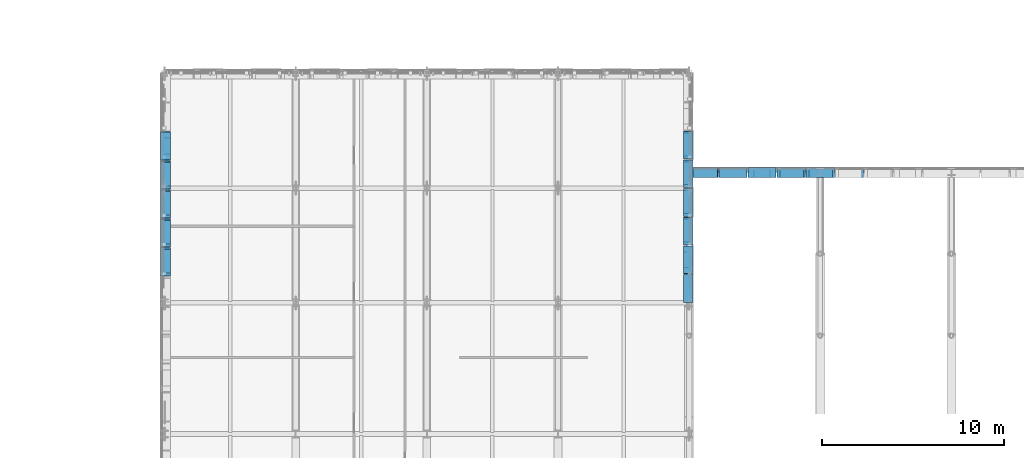
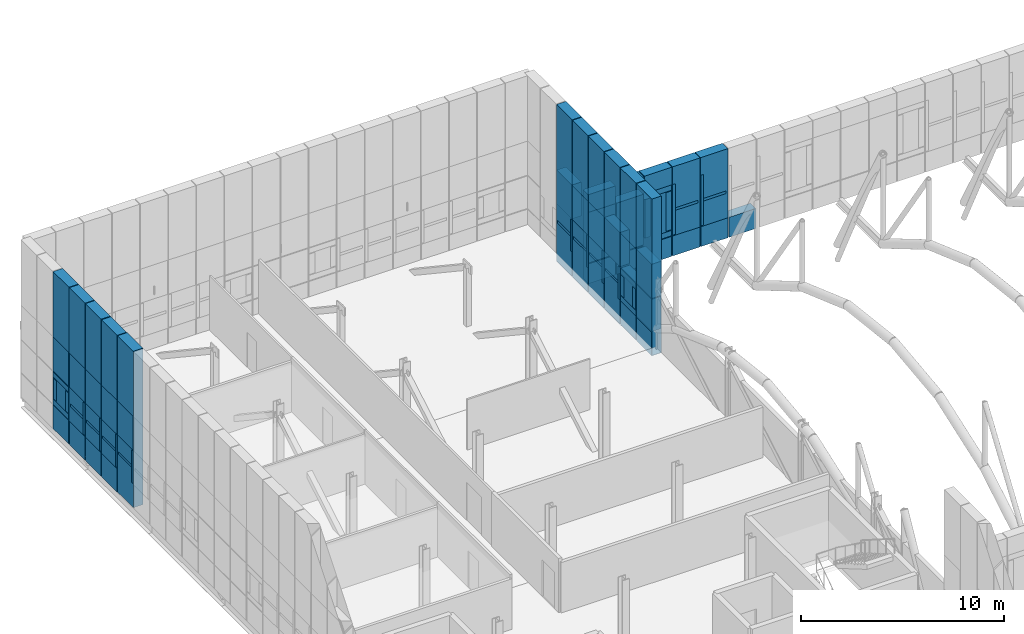
# One storey, part 118 of 144: 78 discrete accessories.
"""IFC4 building model written with IfcOpenShell, lengths in metres."""

from ifc_helpers import new_model, si_unit, direction, frame, origin, origin_2d, place, context, subcontext, project, spatial, rectangle, extrude, material, type_object, element, save


model = new_model("IFC4")

# Units and contexts
model_context = context("Model", 3, precision=1e-05, world=origin(), true_north=direction((0.0, 1.0)))
body_context = subcontext(model_context, "Body", "Model", "MODEL_VIEW")
ifc_project = project(units=[si_unit("LENGTHUNIT", "METRE"), si_unit("AREAUNIT", "SQUARE_METRE"), si_unit("VOLUMEUNIT", "CUBIC_METRE"), si_unit("PLANEANGLEUNIT", "RADIAN"), si_unit("MASSUNIT", "GRAM", prefix="KILO")], contexts=[model_context])

# Site, building, storey
site_placement = place(None, origin())
site = spatial("IfcSite", under=ifc_project, at=site_placement, CompositionType="ELEMENT")
building_placement = place(site_placement, origin())
building = spatial("IfcBuilding", under=site, at=building_placement, Name="Yarey Park Central Fire Station", CompositionType="ELEMENT")
storey_placement = place(building_placement, frame((0.0, 0.0, 10.199951171875)))
storey = spatial("IfcBuildingStorey", under=building, at=storey_placement, Name="L03", CompositionType="ELEMENT", Elevation=10.199951171875)

# Discrete accessories
ifc_material = material(Name="Stainless Steel AISI 316L", Category="steel")
discrete_accessory_type = type_object("IfcDiscreteAccessoryType", Name="ENV_BRK_SS1", PredefinedType="BRACKET", material=ifc_material)
discrete_accessory_1_placement = place(storey_placement, frame((57.550048828125, 87.1875, -0.494873046875), z_axis=(0.0, 0.0, 1.0), x_axis=(1.0, 0.0, 0.0)))
element("IfcDiscreteAccessory", 1, at=discrete_accessory_1_placement, inside=storey, type_object=discrete_accessory_type, Name="BRK_PERF_L03_0466", PredefinedType="BRACKET", context=body_context, shape_type="SweptSolid", body=[
    extrude(rectangle(XDim=0.5400390625, YDim=1.514892578125, at=origin_2d()), origin(), (0.0, 0.0, 1.0), 1.419921875),
])
discrete_accessory_2_placement = place(storey_placement, frame((57.550048828125, 87.1875, 0.97509765625), z_axis=(0.0, 0.0, 1.0), x_axis=(1.0, 0.0, 0.0)))
element("IfcDiscreteAccessory", 2, at=discrete_accessory_2_placement, inside=storey, type_object=discrete_accessory_type, Name="BRK_PERF_L03_0467", PredefinedType="BRACKET", context=body_context, shape_type="SweptSolid", body=[
    extrude(rectangle(XDim=0.5400390625, YDim=1.514892578125, at=origin_2d()), origin(), (0.0, 0.0, 1.0), 1.949951171875),
])
discrete_accessory_3_placement = place(storey_placement, frame((57.550048828125, 87.1875, 2.97509765625), z_axis=(0.0, 0.0, 1.0), x_axis=(1.0, 0.0, 0.0)))
element("IfcDiscreteAccessory", 3, at=discrete_accessory_3_placement, inside=storey, type_object=discrete_accessory_type, Name="BRK_PERF_L03_0468", PredefinedType="BRACKET", context=body_context, shape_type="SweptSolid", body=[
    extrude(rectangle(XDim=0.5400390625, YDim=1.514892578125, at=origin_2d()), origin(), (0.0, 0.0, 1.0), 2.050048828125),
])
discrete_accessory_4_placement = place(storey_placement, frame((57.550048828125, 87.1875, -0.4599609375), z_axis=(0.0, 0.0, 1.0), x_axis=(1.0, 0.0, 0.0)))
element("IfcDiscreteAccessory", 4, at=discrete_accessory_4_placement, inside=storey, type_object=discrete_accessory_type, Name="BRK_RAIL_L03_0470", PredefinedType="BRACKET", context=body_context, shape_type="SweptSolid", body=[
    extrude(rectangle(XDim=0.5400390625, YDim=1.534912109375, at=origin_2d()), origin(), (0.0, 0.0, 1.0), 9.419921875),
])
discrete_accessory_5_placement = place(storey_placement, frame((57.550048828125, 88.762451171875, -0.494873046875), z_axis=(0.0, 0.0, 1.0), x_axis=(1.0, 0.0, 0.0)))
element("IfcDiscreteAccessory", 5, at=discrete_accessory_5_placement, inside=storey, type_object=discrete_accessory_type, Name="BRK_PERF_L03_0471", PredefinedType="BRACKET", context=body_context, shape_type="SweptSolid", body=[
    extrude(rectangle(XDim=0.5400390625, YDim=1.514892578125, at=origin_2d()), origin(), (0.0, 0.0, 1.0), 1.419921875),
])
for number, where, z_axis, x_axis, name in (
    (6, (57.550048828125, 88.762451171875, 0.97021484375), (0.0, 0.0, 1.0), (1.0, 0.0, 0.0), "BRK_PERF_L03_0472"),
    (7, (57.550048828125, 88.762451171875, 2.60986328125), (0.0, 0.0, 1.0), (1.0, 0.0, 0.0), "BRK_PERF_L03_0473"),
):
    element("IfcDiscreteAccessory", number, at=place(storey_placement, frame(where, z_axis=z_axis, x_axis=x_axis)), inside=storey, type_object=discrete_accessory_type, Name=name, PredefinedType="BRACKET", context=body_context, shape_type="SweptSolid", body=[
        extrude(rectangle(XDim=0.5400390625, YDim=1.514892578125, at=origin_2d()), origin(), (0.0, 0.0, 1.0), 0.320068359375),
    ])
for number, where, z_axis, x_axis, name in (
    (8, (57.550048828125, 88.175048828125, 1.3349609375), (0.0, 0.0, 1.0), (1.0, 0.0, 0.0), "BRK_PERF_L03_0474"),
    (9, (57.550048828125, 89.35009765625, 1.3349609375), (0.0, 0.0, 1.0), (1.0, 0.0, 0.0), "BRK_PERF_L03_0475"),
):
    element("IfcDiscreteAccessory", number, at=place(storey_placement, frame(where, z_axis=z_axis, x_axis=x_axis)), inside=storey, type_object=discrete_accessory_type, Name=name, PredefinedType="BRACKET", context=body_context, shape_type="SweptSolid", body=[
        extrude(rectangle(XDim=0.5400390625, YDim=0.320068359375, at=origin_2d()), origin(), (0.0, 0.0, 1.0), 1.22998046875),
    ])
discrete_accessory_6_placement = place(storey_placement, frame((57.550048828125, 88.762451171875, 2.97509765625), z_axis=(0.0, 0.0, 1.0), x_axis=(1.0, 0.0, 0.0)))
element("IfcDiscreteAccessory", 10, at=discrete_accessory_6_placement, inside=storey, type_object=discrete_accessory_type, Name="BRK_PERF_L03_0476", PredefinedType="BRACKET", context=body_context, shape_type="SweptSolid", body=[
    extrude(rectangle(XDim=0.5400390625, YDim=1.514892578125, at=origin_2d()), origin(), (0.0, 0.0, 1.0), 2.050048828125),
])
discrete_accessory_7_placement = place(storey_placement, frame((57.550048828125, 88.762451171875, -0.4599609375), z_axis=(0.0, 0.0, 1.0), x_axis=(1.0, 0.0, 0.0)))
element("IfcDiscreteAccessory", 11, at=discrete_accessory_7_placement, inside=storey, type_object=discrete_accessory_type, Name="BRK_RAIL_L03_0481", PredefinedType="BRACKET", context=body_context, shape_type="SweptSolid", body=[
    extrude(rectangle(XDim=0.5400390625, YDim=1.534912109375, at=origin_2d()), origin(), (0.0, 0.0, 1.0), 9.419921875),
])
discrete_accessory_8_placement = place(storey_placement, frame((57.550048828125, 90.33740234375, -0.494873046875), z_axis=(0.0, 0.0, 1.0), x_axis=(1.0, 0.0, 0.0)))
element("IfcDiscreteAccessory", 12, at=discrete_accessory_8_placement, inside=storey, type_object=discrete_accessory_type, Name="BRK_PERF_L03_0482", PredefinedType="BRACKET", context=body_context, shape_type="SweptSolid", body=[
    extrude(rectangle(XDim=0.5400390625, YDim=1.514892578125, at=origin_2d()), origin(), (0.0, 0.0, 1.0), 1.419921875),
])
discrete_accessory_9_placement = place(storey_placement, frame((57.550048828125, 89.659912109375, 0.97509765625), z_axis=(0.0, 0.0, 1.0), x_axis=(1.0, 0.0, 0.0)))
element("IfcDiscreteAccessory", 13, at=discrete_accessory_9_placement, inside=storey, type_object=discrete_accessory_type, Name="BRK_PERF_L03_0483", PredefinedType="BRACKET", context=body_context, shape_type="SweptSolid", body=[
    extrude(rectangle(XDim=0.5400390625, YDim=0.159912109375, at=origin_2d()), origin(), (0.0, 0.0, 1.0), 1.949951171875),
])
discrete_accessory_10_placement = place(storey_placement, frame((57.550048828125, 90.33740234375, 1.8701171875), z_axis=(0.0, 0.0, 1.0), x_axis=(1.0, 0.0, 0.0)))
element("IfcDiscreteAccessory", 14, at=discrete_accessory_10_placement, inside=storey, type_object=discrete_accessory_type, Name="BRK_PERF_L03_0484", PredefinedType="BRACKET", context=body_context, shape_type="SweptSolid", body=[
    extrude(rectangle(XDim=0.5400390625, YDim=1.31494140625, at=origin_2d()), origin(), (0.0, 0.0, 1.0), 0.159912109375),
])
discrete_accessory_11_placement = place(storey_placement, frame((57.550048828125, 90.33740234375, 2.97509765625), z_axis=(0.0, 0.0, 1.0), x_axis=(1.0, 0.0, 0.0)))
element("IfcDiscreteAccessory", 15, at=discrete_accessory_11_placement, inside=storey, type_object=discrete_accessory_type, Name="BRK_PERF_L03_0485", PredefinedType="BRACKET", context=body_context, shape_type="SweptSolid", body=[
    extrude(rectangle(XDim=0.5400390625, YDim=1.514892578125, at=origin_2d()), origin(), (0.0, 0.0, 1.0), 2.050048828125),
])
discrete_accessory_12_placement = place(storey_placement, frame((57.550048828125, 90.33740234375, -0.4599609375), z_axis=(0.0, 0.0, 1.0), x_axis=(1.0, 0.0, 0.0)))
element("IfcDiscreteAccessory", 16, at=discrete_accessory_12_placement, inside=storey, type_object=discrete_accessory_type, Name="BRK_RAIL_L03_0488", PredefinedType="BRACKET", context=body_context, shape_type="SweptSolid", body=[
    extrude(rectangle(XDim=0.5400390625, YDim=1.534912109375, at=origin_2d()), origin(), (0.0, 0.0, 1.0), 9.419921875),
])
discrete_accessory_13_placement = place(storey_placement, frame((57.550048828125, 91.91259765625, -0.494873046875), z_axis=(0.0, 0.0, 1.0), x_axis=(1.0, 0.0, 0.0)))
element("IfcDiscreteAccessory", 17, at=discrete_accessory_13_placement, inside=storey, type_object=discrete_accessory_type, Name="BRK_PERF_L03_0489", PredefinedType="BRACKET", context=body_context, shape_type="SweptSolid", body=[
    extrude(rectangle(XDim=0.5400390625, YDim=1.514892578125, at=origin_2d()), origin(), (0.0, 0.0, 1.0), 1.419921875),
])
discrete_accessory_14_placement = place(storey_placement, frame((57.550048828125, 91.235107421875, 0.97509765625), z_axis=(0.0, 0.0, 1.0), x_axis=(1.0, 0.0, 0.0)))
element("IfcDiscreteAccessory", 18, at=discrete_accessory_14_placement, inside=storey, type_object=discrete_accessory_type, Name="BRK_PERF_L03_0490", PredefinedType="BRACKET", context=body_context, shape_type="SweptSolid", body=[
    extrude(rectangle(XDim=0.5400390625, YDim=0.159912109375, at=origin_2d()), origin(), (0.0, 0.0, 1.0), 1.949951171875),
])
discrete_accessory_15_placement = place(storey_placement, frame((57.550048828125, 91.91259765625, 1.8701171875), z_axis=(0.0, 0.0, 1.0), x_axis=(1.0, 0.0, 0.0)))
element("IfcDiscreteAccessory", 19, at=discrete_accessory_15_placement, inside=storey, type_object=discrete_accessory_type, Name="BRK_PERF_L03_0491", PredefinedType="BRACKET", context=body_context, shape_type="SweptSolid", body=[
    extrude(rectangle(XDim=0.5400390625, YDim=1.31494140625, at=origin_2d()), origin(), (0.0, 0.0, 1.0), 0.159912109375),
])
discrete_accessory_16_placement = place(storey_placement, frame((57.550048828125, 91.91259765625, 2.97509765625), z_axis=(0.0, 0.0, 1.0), x_axis=(1.0, 0.0, 0.0)))
element("IfcDiscreteAccessory", 20, at=discrete_accessory_16_placement, inside=storey, type_object=discrete_accessory_type, Name="BRK_PERF_L03_0492", PredefinedType="BRACKET", context=body_context, shape_type="SweptSolid", body=[
    extrude(rectangle(XDim=0.5400390625, YDim=1.514892578125, at=origin_2d()), origin(), (0.0, 0.0, 1.0), 2.050048828125),
])
discrete_accessory_17_placement = place(storey_placement, frame((57.550048828125, 91.91259765625, -0.4599609375), z_axis=(0.0, 0.0, 1.0), x_axis=(1.0, 0.0, 0.0)))
element("IfcDiscreteAccessory", 21, at=discrete_accessory_17_placement, inside=storey, type_object=discrete_accessory_type, Name="BRK_RAIL_L03_0495", PredefinedType="BRACKET", context=body_context, shape_type="SweptSolid", body=[
    extrude(rectangle(XDim=0.5400390625, YDim=1.534912109375, at=origin_2d()), origin(), (0.0, 0.0, 1.0), 9.419921875),
])
discrete_accessory_18_placement = place(storey_placement, frame((57.550048828125, 93.487548828125, -0.494873046875), z_axis=(0.0, 0.0, 1.0), x_axis=(1.0, 0.0, 0.0)))
element("IfcDiscreteAccessory", 22, at=discrete_accessory_18_placement, inside=storey, type_object=discrete_accessory_type, Name="BRK_PERF_L03_0496", PredefinedType="BRACKET", context=body_context, shape_type="SweptSolid", body=[
    extrude(rectangle(XDim=0.5400390625, YDim=1.514892578125, at=origin_2d()), origin(), (0.0, 0.0, 1.0), 1.419921875),
])
discrete_accessory_19_placement = place(storey_placement, frame((57.550048828125, 92.81005859375, 0.97509765625), z_axis=(0.0, 0.0, 1.0), x_axis=(1.0, 0.0, 0.0)))
element("IfcDiscreteAccessory", 23, at=discrete_accessory_19_placement, inside=storey, type_object=discrete_accessory_type, Name="BRK_PERF_L03_0497", PredefinedType="BRACKET", context=body_context, shape_type="SweptSolid", body=[
    extrude(rectangle(XDim=0.5400390625, YDim=0.159912109375, at=origin_2d()), origin(), (0.0, 0.0, 1.0), 1.949951171875),
])
discrete_accessory_20_placement = place(storey_placement, frame((57.550048828125, 93.487548828125, 1.8701171875), z_axis=(0.0, 0.0, 1.0), x_axis=(1.0, 0.0, 0.0)))
element("IfcDiscreteAccessory", 24, at=discrete_accessory_20_placement, inside=storey, type_object=discrete_accessory_type, Name="BRK_PERF_L03_0498", PredefinedType="BRACKET", context=body_context, shape_type="SweptSolid", body=[
    extrude(rectangle(XDim=0.5400390625, YDim=1.31494140625, at=origin_2d()), origin(), (0.0, 0.0, 1.0), 0.159912109375),
])
discrete_accessory_21_placement = place(storey_placement, frame((57.550048828125, 93.487548828125, 2.97509765625), z_axis=(0.0, 0.0, 1.0), x_axis=(1.0, 0.0, 0.0)))
element("IfcDiscreteAccessory", 25, at=discrete_accessory_21_placement, inside=storey, type_object=discrete_accessory_type, Name="BRK_PERF_L03_0499", PredefinedType="BRACKET", context=body_context, shape_type="SweptSolid", body=[
    extrude(rectangle(XDim=0.5400390625, YDim=1.514892578125, at=origin_2d()), origin(), (0.0, 0.0, 1.0), 2.050048828125),
])
discrete_accessory_22_placement = place(storey_placement, frame((57.550048828125, 93.487548828125, -0.4599609375), z_axis=(0.0, 0.0, 1.0), x_axis=(1.0, 0.0, 0.0)))
element("IfcDiscreteAccessory", 26, at=discrete_accessory_22_placement, inside=storey, type_object=discrete_accessory_type, Name="BRK_RAIL_L03_0502", PredefinedType="BRACKET", context=body_context, shape_type="SweptSolid", body=[
    extrude(rectangle(XDim=0.5400390625, YDim=1.534912109375, at=origin_2d()), origin(), (0.0, 0.0, 1.0), 9.419921875),
])
discrete_accessory_23_placement = place(storey_placement, frame((57.550048828125, 95.0625, -0.494873046875), z_axis=(0.0, 0.0, 1.0), x_axis=(1.0, 0.0, 0.0)))
element("IfcDiscreteAccessory", 27, at=discrete_accessory_23_placement, inside=storey, type_object=discrete_accessory_type, Name="BRK_PERF_L03_0503", PredefinedType="BRACKET", context=body_context, shape_type="SweptSolid", body=[
    extrude(rectangle(XDim=0.5400390625, YDim=1.514892578125, at=origin_2d()), origin(), (0.0, 0.0, 1.0), 1.419921875),
])
discrete_accessory_24_placement = place(storey_placement, frame((57.550048828125, 94.385009765625, 0.97509765625), z_axis=(0.0, 0.0, 1.0), x_axis=(1.0, 0.0, 0.0)))
element("IfcDiscreteAccessory", 28, at=discrete_accessory_24_placement, inside=storey, type_object=discrete_accessory_type, Name="BRK_PERF_L03_0504", PredefinedType="BRACKET", context=body_context, shape_type="SweptSolid", body=[
    extrude(rectangle(XDim=0.5400390625, YDim=0.159912109375, at=origin_2d()), origin(), (0.0, 0.0, 1.0), 1.949951171875),
])
discrete_accessory_25_placement = place(storey_placement, frame((57.550048828125, 95.0625, 1.8701171875), z_axis=(0.0, 0.0, 1.0), x_axis=(1.0, 0.0, 0.0)))
element("IfcDiscreteAccessory", 29, at=discrete_accessory_25_placement, inside=storey, type_object=discrete_accessory_type, Name="BRK_PERF_L03_0505", PredefinedType="BRACKET", context=body_context, shape_type="SweptSolid", body=[
    extrude(rectangle(XDim=0.5400390625, YDim=1.31494140625, at=origin_2d()), origin(), (0.0, 0.0, 1.0), 0.159912109375),
])
discrete_accessory_26_placement = place(storey_placement, frame((57.550048828125, 95.0625, 2.97509765625), z_axis=(0.0, 0.0, 1.0), x_axis=(1.0, 0.0, 0.0)))
element("IfcDiscreteAccessory", 30, at=discrete_accessory_26_placement, inside=storey, type_object=discrete_accessory_type, Name="BRK_PERF_L03_0506", PredefinedType="BRACKET", context=body_context, shape_type="SweptSolid", body=[
    extrude(rectangle(XDim=0.5400390625, YDim=1.514892578125, at=origin_2d()), origin(), (0.0, 0.0, 1.0), 2.050048828125),
])
discrete_accessory_27_placement = place(storey_placement, frame((57.550048828125, 95.0625, -0.4599609375), z_axis=(0.0, 0.0, 1.0), x_axis=(1.0, 0.0, 0.0)))
element("IfcDiscreteAccessory", 31, at=discrete_accessory_27_placement, inside=storey, type_object=discrete_accessory_type, Name="BRK_RAIL_L03_0509", PredefinedType="BRACKET", context=body_context, shape_type="SweptSolid", body=[
    extrude(rectangle(XDim=0.5400390625, YDim=1.534912109375, at=origin_2d()), origin(), (0.0, 0.0, 1.0), 9.419921875),
])
discrete_accessory_28_placement = place(storey_placement, frame((28.85009765625, 87.9638671875, 0.97509765625), z_axis=(0.0, 0.0, 1.0), x_axis=(1.0, 0.0, 0.0)))
element("IfcDiscreteAccessory", 32, at=discrete_accessory_28_placement, inside=storey, type_object=discrete_accessory_type, Name="BRK_PERF_L03_0735", PredefinedType="BRACKET", context=body_context, shape_type="SweptSolid", body=[
    extrude(rectangle(XDim=0.5400390625, YDim=0.159912109375, at=origin_2d()), origin(), (0.0, 0.0, 1.0), 1.949951171875),
])
discrete_accessory_29_placement = place(storey_placement, frame((28.85009765625, 88.64990234375, 1.8701171875), z_axis=(0.0, 0.0, 1.0), x_axis=(1.0, 0.0, 0.0)))
element("IfcDiscreteAccessory", 33, at=discrete_accessory_29_placement, inside=storey, type_object=discrete_accessory_type, Name="BRK_PERF_L03_0736", PredefinedType="BRACKET", context=body_context, shape_type="SweptSolid", body=[
    extrude(rectangle(XDim=0.5400390625, YDim=1.332275390625, at=origin_2d()), origin(), (0.0, 0.0, 1.0), 0.159912109375),
])
discrete_accessory_30_placement = place(storey_placement, frame((28.85009765625, 88.64990234375, 2.97509765625), z_axis=(0.0, 0.0, 1.0), x_axis=(1.0, 0.0, 0.0)))
element("IfcDiscreteAccessory", 34, at=discrete_accessory_30_placement, inside=storey, type_object=discrete_accessory_type, Name="BRK_PERF_L03_0737", PredefinedType="BRACKET", context=body_context, shape_type="SweptSolid", body=[
    extrude(rectangle(XDim=0.5400390625, YDim=1.5322265625, at=origin_2d()), origin(), (0.0, 0.0, 1.0), 2.050048828125),
])
discrete_accessory_31_placement = place(storey_placement, frame((28.85009765625, 88.64990234375, -0.4599609375), z_axis=(0.0, 0.0, 1.0), x_axis=(1.0, 0.0, 0.0)))
element("IfcDiscreteAccessory", 35, at=discrete_accessory_31_placement, inside=storey, type_object=discrete_accessory_type, Name="BRK_RAIL_L03_0740", PredefinedType="BRACKET", context=body_context, shape_type="SweptSolid", body=[
    extrude(rectangle(XDim=0.5400390625, YDim=1.55224609375, at=origin_2d()), origin(), (0.0, 0.0, 1.0), 9.419921875),
])
discrete_accessory_32_placement = place(storey_placement, frame((28.85009765625, 90.2421875, -0.494873046875), z_axis=(0.0, 0.0, 1.0), x_axis=(1.0, 0.0, 0.0)))
element("IfcDiscreteAccessory", 36, at=discrete_accessory_32_placement, inside=storey, type_object=discrete_accessory_type, Name="BRK_PERF_L03_0741", PredefinedType="BRACKET", context=body_context, shape_type="SweptSolid", body=[
    extrude(rectangle(XDim=0.5400390625, YDim=1.5322265625, at=origin_2d()), origin(), (0.0, 0.0, 1.0), 1.419921875),
])
discrete_accessory_33_placement = place(storey_placement, frame((28.85009765625, 89.55615234375, 0.97509765625), z_axis=(0.0, 0.0, 1.0), x_axis=(1.0, 0.0, 0.0)))
element("IfcDiscreteAccessory", 37, at=discrete_accessory_33_placement, inside=storey, type_object=discrete_accessory_type, Name="BRK_PERF_L03_0742", PredefinedType="BRACKET", context=body_context, shape_type="SweptSolid", body=[
    extrude(rectangle(XDim=0.5400390625, YDim=0.159912109375, at=origin_2d()), origin(), (0.0, 0.0, 1.0), 1.949951171875),
])
discrete_accessory_34_placement = place(storey_placement, frame((28.85009765625, 90.2421875, 1.8701171875), z_axis=(0.0, 0.0, 1.0), x_axis=(1.0, 0.0, 0.0)))
element("IfcDiscreteAccessory", 38, at=discrete_accessory_34_placement, inside=storey, type_object=discrete_accessory_type, Name="BRK_PERF_L03_0743", PredefinedType="BRACKET", context=body_context, shape_type="SweptSolid", body=[
    extrude(rectangle(XDim=0.5400390625, YDim=1.332275390625, at=origin_2d()), origin(), (0.0, 0.0, 1.0), 0.159912109375),
])
discrete_accessory_35_placement = place(storey_placement, frame((28.85009765625, 90.2421875, 2.97509765625), z_axis=(0.0, 0.0, 1.0), x_axis=(1.0, 0.0, 0.0)))
element("IfcDiscreteAccessory", 39, at=discrete_accessory_35_placement, inside=storey, type_object=discrete_accessory_type, Name="BRK_PERF_L03_0744", PredefinedType="BRACKET", context=body_context, shape_type="SweptSolid", body=[
    extrude(rectangle(XDim=0.5400390625, YDim=1.5322265625, at=origin_2d()), origin(), (0.0, 0.0, 1.0), 2.050048828125),
])
discrete_accessory_36_placement = place(storey_placement, frame((28.85009765625, 90.2421875, -0.4599609375), z_axis=(0.0, 0.0, 1.0), x_axis=(1.0, 0.0, 0.0)))
element("IfcDiscreteAccessory", 40, at=discrete_accessory_36_placement, inside=storey, type_object=discrete_accessory_type, Name="BRK_RAIL_L03_0747", PredefinedType="BRACKET", context=body_context, shape_type="SweptSolid", body=[
    extrude(rectangle(XDim=0.5400390625, YDim=1.55224609375, at=origin_2d()), origin(), (0.0, 0.0, 1.0), 9.419921875),
])
discrete_accessory_37_placement = place(storey_placement, frame((28.85009765625, 91.834716796875, -0.494873046875), z_axis=(0.0, 0.0, 1.0), x_axis=(1.0, 0.0, 0.0)))
element("IfcDiscreteAccessory", 41, at=discrete_accessory_37_placement, inside=storey, type_object=discrete_accessory_type, Name="BRK_PERF_L03_0748", PredefinedType="BRACKET", context=body_context, shape_type="SweptSolid", body=[
    extrude(rectangle(XDim=0.5400390625, YDim=1.5322265625, at=origin_2d()), origin(), (0.0, 0.0, 1.0), 1.419921875),
])
discrete_accessory_38_placement = place(storey_placement, frame((28.85009765625, 91.1484375, 0.97509765625), z_axis=(0.0, 0.0, 1.0), x_axis=(1.0, 0.0, 0.0)))
element("IfcDiscreteAccessory", 42, at=discrete_accessory_38_placement, inside=storey, type_object=discrete_accessory_type, Name="BRK_PERF_L03_0749", PredefinedType="BRACKET", context=body_context, shape_type="SweptSolid", body=[
    extrude(rectangle(XDim=0.5400390625, YDim=0.159912109375, at=origin_2d()), origin(), (0.0, 0.0, 1.0), 1.949951171875),
])
discrete_accessory_39_placement = place(storey_placement, frame((28.85009765625, 91.834716796875, 1.8701171875), z_axis=(0.0, 0.0, 1.0), x_axis=(1.0, 0.0, 0.0)))
element("IfcDiscreteAccessory", 43, at=discrete_accessory_39_placement, inside=storey, type_object=discrete_accessory_type, Name="BRK_PERF_L03_0750", PredefinedType="BRACKET", context=body_context, shape_type="SweptSolid", body=[
    extrude(rectangle(XDim=0.5400390625, YDim=1.332275390625, at=origin_2d()), origin(), (0.0, 0.0, 1.0), 0.159912109375),
])
discrete_accessory_40_placement = place(storey_placement, frame((28.85009765625, 91.834716796875, 2.97509765625), z_axis=(0.0, 0.0, 1.0), x_axis=(1.0, 0.0, 0.0)))
element("IfcDiscreteAccessory", 44, at=discrete_accessory_40_placement, inside=storey, type_object=discrete_accessory_type, Name="BRK_PERF_L03_0751", PredefinedType="BRACKET", context=body_context, shape_type="SweptSolid", body=[
    extrude(rectangle(XDim=0.5400390625, YDim=1.5322265625, at=origin_2d()), origin(), (0.0, 0.0, 1.0), 2.050048828125),
])
discrete_accessory_41_placement = place(storey_placement, frame((28.85009765625, 91.834716796875, -0.4599609375), z_axis=(0.0, 0.0, 1.0), x_axis=(1.0, 0.0, 0.0)))
element("IfcDiscreteAccessory", 45, at=discrete_accessory_41_placement, inside=storey, type_object=discrete_accessory_type, Name="BRK_RAIL_L03_0754", PredefinedType="BRACKET", context=body_context, shape_type="SweptSolid", body=[
    extrude(rectangle(XDim=0.5400390625, YDim=1.55224609375, at=origin_2d()), origin(), (0.0, 0.0, 1.0), 9.419921875),
])
discrete_accessory_42_placement = place(storey_placement, frame((28.85009765625, 93.427001953125, -0.494873046875), z_axis=(0.0, 0.0, 1.0), x_axis=(1.0, 0.0, 0.0)))
element("IfcDiscreteAccessory", 46, at=discrete_accessory_42_placement, inside=storey, type_object=discrete_accessory_type, Name="BRK_PERF_L03_0755", PredefinedType="BRACKET", context=body_context, shape_type="SweptSolid", body=[
    extrude(rectangle(XDim=0.5400390625, YDim=1.5322265625, at=origin_2d()), origin(), (0.0, 0.0, 1.0), 1.419921875),
])
discrete_accessory_43_placement = place(storey_placement, frame((28.85009765625, 92.74072265625, 0.97509765625), z_axis=(0.0, 0.0, 1.0), x_axis=(1.0, 0.0, 0.0)))
element("IfcDiscreteAccessory", 47, at=discrete_accessory_43_placement, inside=storey, type_object=discrete_accessory_type, Name="BRK_PERF_L03_0756", PredefinedType="BRACKET", context=body_context, shape_type="SweptSolid", body=[
    extrude(rectangle(XDim=0.5400390625, YDim=0.159912109375, at=origin_2d()), origin(), (0.0, 0.0, 1.0), 1.949951171875),
])
discrete_accessory_44_placement = place(storey_placement, frame((28.85009765625, 93.427001953125, 1.8701171875), z_axis=(0.0, 0.0, 1.0), x_axis=(1.0, 0.0, 0.0)))
element("IfcDiscreteAccessory", 48, at=discrete_accessory_44_placement, inside=storey, type_object=discrete_accessory_type, Name="BRK_PERF_L03_0757", PredefinedType="BRACKET", context=body_context, shape_type="SweptSolid", body=[
    extrude(rectangle(XDim=0.5400390625, YDim=1.332275390625, at=origin_2d()), origin(), (0.0, 0.0, 1.0), 0.159912109375),
])
discrete_accessory_45_placement = place(storey_placement, frame((28.85009765625, 93.427001953125, 2.97509765625), z_axis=(0.0, 0.0, 1.0), x_axis=(1.0, 0.0, 0.0)))
element("IfcDiscreteAccessory", 49, at=discrete_accessory_45_placement, inside=storey, type_object=discrete_accessory_type, Name="BRK_PERF_L03_0758", PredefinedType="BRACKET", context=body_context, shape_type="SweptSolid", body=[
    extrude(rectangle(XDim=0.5400390625, YDim=1.5322265625, at=origin_2d()), origin(), (0.0, 0.0, 1.0), 2.050048828125),
])
discrete_accessory_46_placement = place(storey_placement, frame((28.85009765625, 93.427001953125, -0.4599609375), z_axis=(0.0, 0.0, 1.0), x_axis=(1.0, 0.0, 0.0)))
element("IfcDiscreteAccessory", 50, at=discrete_accessory_46_placement, inside=storey, type_object=discrete_accessory_type, Name="BRK_RAIL_L03_0761", PredefinedType="BRACKET", context=body_context, shape_type="SweptSolid", body=[
    extrude(rectangle(XDim=0.5400390625, YDim=1.55224609375, at=origin_2d()), origin(), (0.0, 0.0, 1.0), 9.419921875),
])
discrete_accessory_47_placement = place(storey_placement, frame((28.85009765625, 95.019287109375, -0.494873046875), z_axis=(0.0, 0.0, 1.0), x_axis=(1.0, 0.0, 0.0)))
element("IfcDiscreteAccessory", 51, at=discrete_accessory_47_placement, inside=storey, type_object=discrete_accessory_type, Name="BRK_PERF_L03_0762", PredefinedType="BRACKET", context=body_context, shape_type="SweptSolid", body=[
    extrude(rectangle(XDim=0.5400390625, YDim=1.5322265625, at=origin_2d()), origin(), (0.0, 0.0, 1.0), 1.419921875),
])
for number, where, z_axis, x_axis, name in (
    (52, (28.85009765625, 95.019287109375, 0.97021484375), (0.0, 0.0, 1.0), (1.0, 0.0, 0.0), "BRK_PERF_L03_0763"),
    (53, (28.85009765625, 95.019287109375, 2.60986328125), (0.0, 0.0, 1.0), (1.0, 0.0, 0.0), "BRK_PERF_L03_0764"),
):
    element("IfcDiscreteAccessory", number, at=place(storey_placement, frame(where, z_axis=z_axis, x_axis=x_axis)), inside=storey, type_object=discrete_accessory_type, Name=name, PredefinedType="BRACKET", context=body_context, shape_type="SweptSolid", body=[
        extrude(rectangle(XDim=0.5400390625, YDim=1.5322265625, at=origin_2d()), origin(), (0.0, 0.0, 1.0), 0.320068359375),
    ])
for number, where, z_axis, x_axis, name in (
    (54, (28.85009765625, 94.423095703125, 1.3349609375), (0.0, 0.0, 1.0), (1.0, 0.0, 0.0), "BRK_PERF_L03_0765"),
    (55, (28.85009765625, 95.615234375, 1.3349609375), (0.0, 0.0, 1.0), (1.0, 0.0, 0.0), "BRK_PERF_L03_0766"),
):
    element("IfcDiscreteAccessory", number, at=place(storey_placement, frame(where, z_axis=z_axis, x_axis=x_axis)), inside=storey, type_object=discrete_accessory_type, Name=name, PredefinedType="BRACKET", context=body_context, shape_type="SweptSolid", body=[
        extrude(rectangle(XDim=0.5400390625, YDim=0.320068359375, at=origin_2d()), origin(), (0.0, 0.0, 1.0), 1.22998046875),
    ])
discrete_accessory_48_placement = place(storey_placement, frame((28.85009765625, 95.019287109375, 2.97509765625), z_axis=(0.0, 0.0, 1.0), x_axis=(1.0, 0.0, 0.0)))
element("IfcDiscreteAccessory", 56, at=discrete_accessory_48_placement, inside=storey, type_object=discrete_accessory_type, Name="BRK_PERF_L03_0767", PredefinedType="BRACKET", context=body_context, shape_type="SweptSolid", body=[
    extrude(rectangle(XDim=0.5400390625, YDim=1.5322265625, at=origin_2d()), origin(), (0.0, 0.0, 1.0), 2.050048828125),
])
discrete_accessory_49_placement = place(storey_placement, frame((28.85009765625, 95.019287109375, -0.4599609375), z_axis=(0.0, 0.0, 1.0), x_axis=(1.0, 0.0, 0.0)))
element("IfcDiscreteAccessory", 57, at=discrete_accessory_49_placement, inside=storey, type_object=discrete_accessory_type, Name="BRK_RAIL_L03_0772", PredefinedType="BRACKET", context=body_context, shape_type="SweptSolid", body=[
    extrude(rectangle(XDim=0.5400390625, YDim=1.55224609375, at=origin_2d()), origin(), (0.0, 0.0, 1.0), 9.419921875),
])
discrete_accessory_50_placement = place(storey_placement, frame((58.39990234375, 93.550048828125, -0.4248046875), z_axis=(0.0, 0.0, 1.0), x_axis=(1.0, 0.0, 0.0)))
element("IfcDiscreteAccessory", 58, at=discrete_accessory_50_placement, inside=storey, type_object=discrete_accessory_type, Name="BRK_PERF_L03_1566", PredefinedType="BRACKET", context=body_context, shape_type="SweptSolid", body=[
    extrude(rectangle(XDim=1.5400390625, YDim=0.5400390625, at=origin_2d()), origin(), (0.0, 0.0, 1.0), 1.199951171875),
])
discrete_accessory_51_placement = place(storey_placement, frame((58.39990234375, 93.550048828125, 0.8251953125), z_axis=(0.0, 0.0, 1.0), x_axis=(1.0, 0.0, 0.0)))
element("IfcDiscreteAccessory", 59, at=discrete_accessory_51_placement, inside=storey, type_object=discrete_accessory_type, Name="BRK_PERF_L03_1567", PredefinedType="BRACKET", context=body_context, shape_type="SweptSolid", body=[
    extrude(rectangle(XDim=1.5400390625, YDim=0.5400390625, at=origin_2d()), origin(), (0.0, 0.0, 1.0), 3.050048828125),
])
discrete_accessory_52_placement = place(storey_placement, frame((58.39990234375, 93.550048828125, -0.389892578125), z_axis=(0.0, 0.0, 1.0), x_axis=(1.0, 0.0, 0.0)))
element("IfcDiscreteAccessory", 60, at=discrete_accessory_52_placement, inside=storey, type_object=discrete_accessory_type, Name="BRK_RAIL_L03_1568", PredefinedType="BRACKET", context=body_context, shape_type="SweptSolid", body=[
    extrude(rectangle(XDim=1.56005859375, YDim=0.5400390625, at=origin_2d()), origin(), (0.0, 0.0, 1.0), 5.330078125),
])
discrete_accessory_53_placement = place(storey_placement, frame((60.0, 93.550048828125, -0.4248046875), z_axis=(0.0, 0.0, 1.0), x_axis=(1.0, 0.0, 0.0)))
element("IfcDiscreteAccessory", 61, at=discrete_accessory_53_placement, inside=storey, type_object=discrete_accessory_type, Name="BRK_PERF_L03_1569", PredefinedType="BRACKET", context=body_context, shape_type="SweptSolid", body=[
    extrude(rectangle(XDim=1.5400390625, YDim=0.5400390625, at=origin_2d()), origin(), (0.0, 0.0, 1.0), 1.199951171875),
])
discrete_accessory_54_placement = place(storey_placement, frame((60.0, 93.550048828125, 0.8251953125), z_axis=(0.0, 0.0, 1.0), x_axis=(1.0, 0.0, 0.0)))
element("IfcDiscreteAccessory", 62, at=discrete_accessory_54_placement, inside=storey, type_object=discrete_accessory_type, Name="BRK_PERF_L03_1570", PredefinedType="BRACKET", context=body_context, shape_type="SweptSolid", body=[
    extrude(rectangle(XDim=1.5400390625, YDim=0.5400390625, at=origin_2d()), origin(), (0.0, 0.0, 1.0), 3.050048828125),
])
discrete_accessory_55_placement = place(storey_placement, frame((60.0, 93.550048828125, -0.389892578125), z_axis=(0.0, 0.0, 1.0), x_axis=(1.0, 0.0, 0.0)))
element("IfcDiscreteAccessory", 63, at=discrete_accessory_55_placement, inside=storey, type_object=discrete_accessory_type, Name="BRK_RAIL_L03_1571", PredefinedType="BRACKET", context=body_context, shape_type="SweptSolid", body=[
    extrude(rectangle(XDim=1.56005859375, YDim=0.5400390625, at=origin_2d()), origin(), (0.0, 0.0, 1.0), 5.330078125),
])
discrete_accessory_56_placement = place(storey_placement, frame((61.60009765625, 93.550048828125, -0.4248046875), z_axis=(0.0, 0.0, 1.0), x_axis=(1.0, 0.0, 0.0)))
element("IfcDiscreteAccessory", 64, at=discrete_accessory_56_placement, inside=storey, type_object=discrete_accessory_type, Name="BRK_PERF_L03_1572", PredefinedType="BRACKET", context=body_context, shape_type="SweptSolid", body=[
    extrude(rectangle(XDim=1.5400390625, YDim=0.5400390625, at=origin_2d()), origin(), (0.0, 0.0, 1.0), 1.199951171875),
])
for number, where, z_axis, x_axis, name in (
    (65, (61.60009765625, 93.550048828125, 0.81982421875), (0.0, 0.0, 1.0), (1.0, 0.0, 0.0), "BRK_PERF_L03_1573"),
    (66, (61.60009765625, 93.550048828125, 3.56005859375), (0.0, 0.0, 1.0), (1.0, 0.0, 0.0), "BRK_PERF_L03_1574"),
):
    element("IfcDiscreteAccessory", number, at=place(storey_placement, frame(where, z_axis=z_axis, x_axis=x_axis)), inside=storey, type_object=discrete_accessory_type, Name=name, PredefinedType="BRACKET", context=body_context, shape_type="SweptSolid", body=[
        extrude(rectangle(XDim=1.5400390625, YDim=0.5400390625, at=origin_2d()), origin(), (0.0, 0.0, 1.0), 0.320068359375),
    ])
for number, where, z_axis, x_axis, name in (
    (67, (61.0, 93.550048828125, 1.18505859375), (0.0, 0.0, 1.0), (1.0, 0.0, 0.0), "BRK_PERF_L03_1575"),
    (68, (62.199951171875, 93.550048828125, 1.18505859375), (0.0, 0.0, 1.0), (1.0, 0.0, 0.0), "BRK_PERF_L03_1576"),
):
    element("IfcDiscreteAccessory", number, at=place(storey_placement, frame(where, z_axis=z_axis, x_axis=x_axis)), inside=storey, type_object=discrete_accessory_type, Name=name, PredefinedType="BRACKET", context=body_context, shape_type="SweptSolid", body=[
        extrude(rectangle(XDim=0.320068359375, YDim=0.5400390625, at=origin_2d()), origin(), (0.0, 0.0, 1.0), 2.330078125),
    ])
discrete_accessory_57_placement = place(storey_placement, frame((61.60009765625, 93.550048828125, -0.389892578125), z_axis=(0.0, 0.0, 1.0), x_axis=(1.0, 0.0, 0.0)))
element("IfcDiscreteAccessory", 69, at=discrete_accessory_57_placement, inside=storey, type_object=discrete_accessory_type, Name="BRK_RAIL_L03_1577", PredefinedType="BRACKET", context=body_context, shape_type="SweptSolid", body=[
    extrude(rectangle(XDim=1.56005859375, YDim=0.5400390625, at=origin_2d()), origin(), (0.0, 0.0, 1.0), 5.330078125),
])
discrete_accessory_58_placement = place(storey_placement, frame((63.199951171875, 93.550048828125, -0.4248046875), z_axis=(0.0, 0.0, 1.0), x_axis=(1.0, 0.0, 0.0)))
element("IfcDiscreteAccessory", 70, at=discrete_accessory_58_placement, inside=storey, type_object=discrete_accessory_type, Name="BRK_PERF_L03_1578", PredefinedType="BRACKET", context=body_context, shape_type="SweptSolid", body=[
    extrude(rectangle(XDim=1.5400390625, YDim=0.5400390625, at=origin_2d()), origin(), (0.0, 0.0, 1.0), 1.199951171875),
])
discrete_accessory_59_placement = place(storey_placement, frame((62.510009765625, 93.550048828125, 0.8251953125), z_axis=(0.0, 0.0, 1.0), x_axis=(1.0, 0.0, 0.0)))
element("IfcDiscreteAccessory", 71, at=discrete_accessory_59_placement, inside=storey, type_object=discrete_accessory_type, Name="BRK_PERF_L03_1579", PredefinedType="BRACKET", context=body_context, shape_type="SweptSolid", body=[
    extrude(rectangle(XDim=0.159912109375, YDim=0.5400390625, at=origin_2d()), origin(), (0.0, 0.0, 1.0), 3.050048828125),
])
discrete_accessory_60_placement = place(storey_placement, frame((63.199951171875, 93.550048828125, 2.27001953125), z_axis=(0.0, 0.0, 1.0), x_axis=(1.0, 0.0, 0.0)))
element("IfcDiscreteAccessory", 72, at=discrete_accessory_60_placement, inside=storey, type_object=discrete_accessory_type, Name="BRK_PERF_L03_1580", PredefinedType="BRACKET", context=body_context, shape_type="SweptSolid", body=[
    extrude(rectangle(XDim=1.340087890625, YDim=0.5400390625, at=origin_2d()), origin(), (0.0, 0.0, 1.0), 0.159912109375),
])
discrete_accessory_61_placement = place(storey_placement, frame((63.199951171875, 93.550048828125, -0.389892578125), z_axis=(0.0, 0.0, 1.0), x_axis=(1.0, 0.0, 0.0)))
element("IfcDiscreteAccessory", 73, at=discrete_accessory_61_placement, inside=storey, type_object=discrete_accessory_type, Name="BRK_RAIL_L03_1581", PredefinedType="BRACKET", context=body_context, shape_type="SweptSolid", body=[
    extrude(rectangle(XDim=1.56005859375, YDim=0.5400390625, at=origin_2d()), origin(), (0.0, 0.0, 1.0), 5.330078125),
])
discrete_accessory_62_placement = place(storey_placement, frame((64.800048828125, 93.550048828125, -0.4248046875), z_axis=(0.0, 0.0, 1.0), x_axis=(1.0, 0.0, 0.0)))
element("IfcDiscreteAccessory", 74, at=discrete_accessory_62_placement, inside=storey, type_object=discrete_accessory_type, Name="BRK_PERF_L03_1582", PredefinedType="BRACKET", context=body_context, shape_type="SweptSolid", body=[
    extrude(rectangle(XDim=1.5400390625, YDim=0.5400390625, at=origin_2d()), origin(), (0.0, 0.0, 1.0), 1.199951171875),
])
discrete_accessory_63_placement = place(storey_placement, frame((64.110107421875, 93.550048828125, 0.8251953125), z_axis=(0.0, 0.0, 1.0), x_axis=(1.0, 0.0, 0.0)))
element("IfcDiscreteAccessory", 75, at=discrete_accessory_63_placement, inside=storey, type_object=discrete_accessory_type, Name="BRK_PERF_L03_1583", PredefinedType="BRACKET", context=body_context, shape_type="SweptSolid", body=[
    extrude(rectangle(XDim=0.159912109375, YDim=0.5400390625, at=origin_2d()), origin(), (0.0, 0.0, 1.0), 3.050048828125),
])
discrete_accessory_64_placement = place(storey_placement, frame((64.800048828125, 93.550048828125, 2.27001953125), z_axis=(0.0, 0.0, 1.0), x_axis=(1.0, 0.0, 0.0)))
element("IfcDiscreteAccessory", 76, at=discrete_accessory_64_placement, inside=storey, type_object=discrete_accessory_type, Name="BRK_PERF_L03_1584", PredefinedType="BRACKET", context=body_context, shape_type="SweptSolid", body=[
    extrude(rectangle(XDim=1.340087890625, YDim=0.5400390625, at=origin_2d()), origin(), (0.0, 0.0, 1.0), 0.159912109375),
])
discrete_accessory_65_placement = place(storey_placement, frame((64.800048828125, 93.550048828125, -0.389892578125), z_axis=(0.0, 0.0, 1.0), x_axis=(1.0, 0.0, 0.0)))
element("IfcDiscreteAccessory", 77, at=discrete_accessory_65_placement, inside=storey, type_object=discrete_accessory_type, Name="BRK_RAIL_L03_1585", PredefinedType="BRACKET", context=body_context, shape_type="SweptSolid", body=[
    extrude(rectangle(XDim=1.56005859375, YDim=0.5400390625, at=origin_2d()), origin(), (0.0, 0.0, 1.0), 5.330078125),
])
discrete_accessory_66_placement = place(storey_placement, frame((66.39990234375, 93.550048828125, -0.4248046875), z_axis=(0.0, 0.0, 1.0), x_axis=(1.0, 0.0, 0.0)))
element("IfcDiscreteAccessory", 78, at=discrete_accessory_66_placement, inside=storey, type_object=discrete_accessory_type, Name="BRK_PERF_L03_1586", PredefinedType="BRACKET", context=body_context, shape_type="SweptSolid", body=[
    extrude(rectangle(XDim=1.5400390625, YDim=0.5400390625, at=origin_2d()), origin(), (0.0, 0.0, 1.0), 1.199951171875),
])

save(model, "model.ifc")
